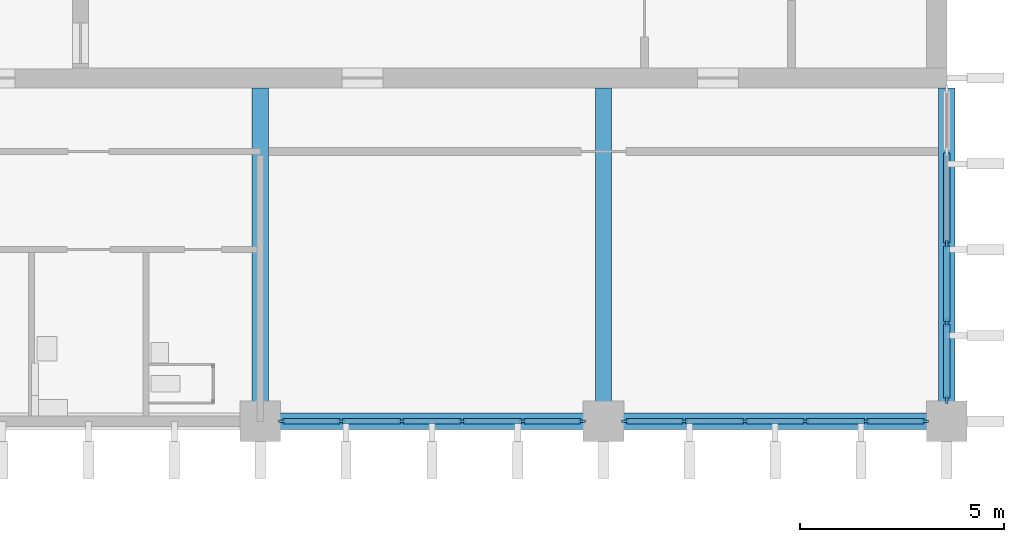
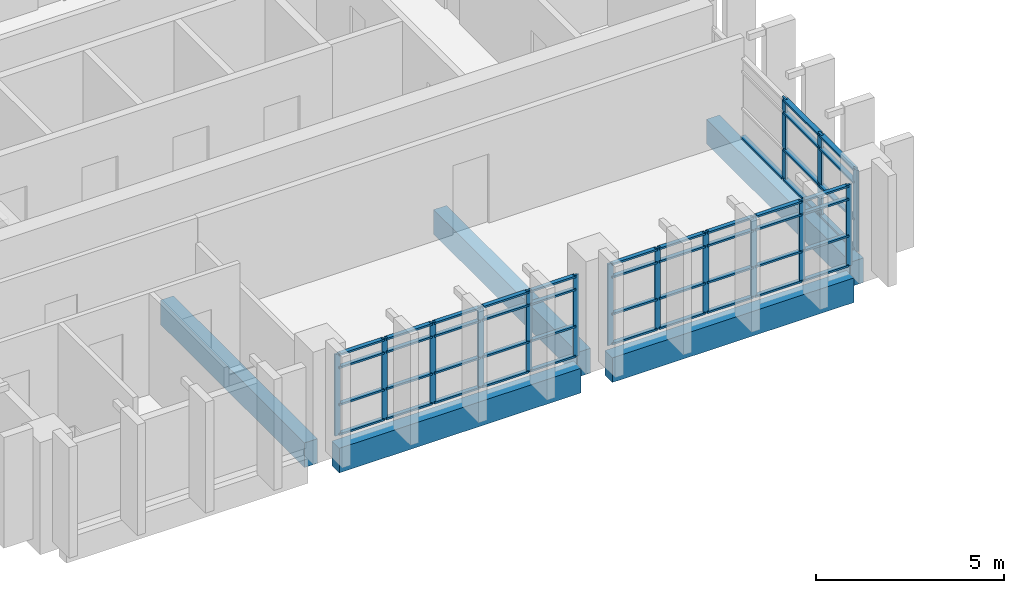
# One storey, part 4 of 24: 64 members, 5 beams, 3 elements without a shape of their own.
"""IFC4 building model written with IfcOpenShell, lengths in metres."""

import ifcopenshell
import ifcopenshell.guid

model = None  # the IFC model being written
_history = None  # IfcOwnerHistory: only IFC2X3 demands one
_inside = {}  # id of a spatial element -> (the spatial element, [elements in it])
_under = {}  # id of a project, library or spatial element -> (it, [spatial elements below it])
_declared = {}  # id of a project -> (the project, [libraries it declares])
_typed = {}  # id of a type object -> (the type object, [elements of that type])
_made_of = {}  # id of a material, layer set ... -> (it, [elements and type objects made of it])


def new_model(schema):
    """Start an empty IFC model of exactly this schema.

    Asked for "IFC4X3", IfcOpenShell would pick the latest addendum, in which some entities
    have other attributes; the version numbers below select the first issue.
    IFC2X3 requires an IfcOwnerHistory on every rooted entity: one is made here for all.
    """
    global model, _history
    if schema == "IFC4X3":
        model = ifcopenshell.file(schema_version=(4, 3, 0, 0))
    else:
        model = ifcopenshell.file(schema=schema)
    _inside.clear()
    _under.clear()
    _declared.clear()
    _typed.clear()
    _made_of.clear()
    _history = None
    if model.schema == "IFC2X3":
        org = make("IfcOrganization", Name="unknown")
        user = make(
            "IfcPersonAndOrganization",
            ThePerson=make("IfcPerson", FamilyName="unknown"),
            TheOrganization=org,
        )
        app = make(
            "IfcApplication",
            ApplicationDeveloper=org,
            Version="unknown",
            ApplicationFullName="unknown",
            ApplicationIdentifier="unknown",
        )
        _history = make(
            "IfcOwnerHistory",
            OwningUser=user,
            OwningApplication=app,
            ChangeAction="ADDED",
            CreationDate=0,
        )
    return model


def make(cls, **values):
    """One entity of the class cls with the attributes given. An attribute that is None is left unset."""
    return model.create_entity(
        cls, **{name: value for name, value in values.items() if value is not None}
    )


def rooted(cls, **values):
    """An entity with a GlobalId (a new one), such as an element, a storey or a relation."""
    return make(cls, GlobalId=ifcopenshell.guid.new(), OwnerHistory=_history, **values)


def si_unit(unit_type, name, prefix=None):
    """IfcSIUnit, for example si_unit("LENGTHUNIT", "METRE", prefix="MILLI")."""
    return make("IfcSIUnit", UnitType=unit_type, Prefix=prefix, Name=name)


def assignment(units):
    """IfcUnitAssignment: the units of a project."""
    return None if units is None else make("IfcUnitAssignment", Units=units)


def point(xyz):
    """IfcCartesianPoint."""
    return None if xyz is None else make("IfcCartesianPoint", Coordinates=xyz)


def direction(xyz):
    """IfcDirection."""
    return None if xyz is None else make("IfcDirection", DirectionRatios=xyz)


def frame(location, z_axis=None, x_axis=None):
    """IfcAxis2Placement3D, a coordinate frame: its origin and axes. An axis left out is left unset."""
    return make(
        "IfcAxis2Placement3D",
        Location=point(location),
        Axis=direction(z_axis),
        RefDirection=direction(x_axis),
    )


def frame_2d(location, x_axis=None):
    """IfcAxis2Placement2D, a coordinate frame in the plane: its origin and x axis."""
    return make(
        "IfcAxis2Placement2D", Location=point(location), RefDirection=direction(x_axis)
    )


def origin():
    """The frame at (0, 0, 0) with its axes left unset."""
    return frame((0.0, 0.0, 0.0))


def origin_2d():
    """The frame at (0, 0) in the plane with its x axis left unset."""
    return frame_2d((0.0, 0.0))


def place(relative_to, where):
    """IfcLocalPlacement: puts the frame where relative to a parent placement (None: the world)."""
    return make(
        "IfcLocalPlacement", PlacementRelTo=relative_to, RelativePlacement=where
    )


def context(
    kind, dimensions, precision=None, world=None, true_north=None, identifier=None
):
    """IfcGeometricRepresentationContext, for example the 3D "Model" context."""
    return make(
        "IfcGeometricRepresentationContext",
        ContextIdentifier=identifier,
        ContextType=kind,
        CoordinateSpaceDimension=dimensions,
        Precision=precision,
        WorldCoordinateSystem=world,
        TrueNorth=true_north,
    )


def subcontext(parent, identifier, kind, view, scale=None):
    """IfcGeometricRepresentationSubContext, for example "Body" below "Model"."""
    return make(
        "IfcGeometricRepresentationSubContext",
        ContextIdentifier=identifier,
        ContextType=kind,
        ParentContext=parent,
        TargetScale=scale,
        TargetView=view,
    )


def project(units=None, contexts=None):
    """IfcProject with its units and contexts."""
    return rooted(
        "IfcProject",
        Name="project",
        RepresentationContexts=contexts,
        UnitsInContext=assignment(units),
    )


def spatial(cls, under=None, at=None, **own):
    """A site, building, storey or space (cls), placed at a placement, below another one or the project."""
    s = rooted(cls, ObjectPlacement=at, **own)
    if under is not None:
        _under.setdefault(under.id(), (under, []))[1].append(s)
    return s


def profile(cls, at=None, kind="AREA", **sizes):
    """A parametric profile (cls). Its sizes go by their IFC names, for example OverallWidth=200.0."""
    return make(cls, ProfileType=kind, Position=at, **sizes)


def rectangle(**sizes):
    """IfcRectangleProfileDef."""
    return profile("IfcRectangleProfileDef", **sizes)


def extrude(swept, where, along, depth):
    """IfcExtrudedAreaSolid: the profile swept, set in the frame where, extruded along a direction by depth."""
    return make(
        "IfcExtrudedAreaSolid",
        SweptArea=swept,
        Position=where,
        ExtrudedDirection=direction(along),
        Depth=depth,
    )


def shape(context_of_items, identifier, shape_type, items):
    """IfcShapeRepresentation: the items that make up one representation, for example the "Body"."""
    return make(
        "IfcShapeRepresentation",
        ContextOfItems=context_of_items,
        RepresentationIdentifier=identifier,
        RepresentationType=shape_type,
        Items=items,
    )


def material(Name=None, Category=None):
    """IfcMaterial."""
    return make("IfcMaterial", Name=Name, Category=Category)


def layer(
    of_material, thickness, ventilated=None, Name=None, Category=None, Priority=None
):
    """IfcMaterialLayer: one layer of a wall or slab, of a material (None: an air gap)."""
    return make(
        "IfcMaterialLayer",
        Material=of_material,
        LayerThickness=thickness,
        IsVentilated=ventilated,
        Name=Name,
        Category=Category,
        Priority=Priority,
    )


def layer_set(layers, Name=None):
    """IfcMaterialLayerSet."""
    return make("IfcMaterialLayerSet", MaterialLayers=layers, LayerSetName=Name)


def material_profile(
    of_material, cross_section, Name=None, Category=None, Priority=None
):
    """IfcMaterialProfile: a cross section and its material."""
    return make(
        "IfcMaterialProfile",
        Name=Name,
        Material=of_material,
        Profile=cross_section,
        Priority=Priority,
        Category=Category,
    )


def profile_set(profiles, Name=None, composite=None):
    """IfcMaterialProfileSet."""
    return make(
        "IfcMaterialProfileSet",
        Name=Name,
        MaterialProfiles=profiles,
        CompositeProfile=composite,
    )


def made_of(thing, what):
    """Note that an element or type object is made of a material, layer set ...; save() writes the relation."""
    if what is not None:
        _made_of.setdefault(what.id(), (what, []))[1].append(thing)
    return thing


def type_object(cls, material=None, **own):
    """A type object (cls), such as IfcWallType, which elements share."""
    return made_of(rooted(cls, **own), material)


def element(
    cls,
    number,
    at=None,
    inside=None,
    cuts=None,
    type_object=None,
    material=None,
    context=None,
    identifier="Body",
    shape_type=None,
    held_by="IfcProductDefinitionShape",
    body=None,
    shapes=None,
    **own,
):
    """One element of the class cls, such as IfcWall. Its Tag is "e" and its number.

    at: its placement. inside: the storey or other place that contains it. cuts: it is an
    opening in that element (IfcRelVoidsElement). A single representation is given by context,
    identifier, shape_type and body (its items); several are given by shapes. held_by: the class
    of the entity that holds the representations. save() writes the other relations.
    """
    e = rooted(cls, Tag="e%d" % number, ObjectPlacement=at, **own)
    if body is not None:
        shapes = [shape(context, identifier, shape_type, body)]
    if shapes is not None:
        e.Representation = make(held_by, Representations=shapes)
    if inside is not None:
        _inside.setdefault(inside.id(), (inside, []))[1].append(e)
    if cuts is not None:
        rooted(
            "IfcRelVoidsElement", RelatingBuildingElement=cuts, RelatedOpeningElement=e
        )
    if type_object is not None:
        _typed.setdefault(type_object.id(), (type_object, []))[1].append(e)
    return made_of(e, material)


def aggregate(whole, parts):
    """IfcRelAggregates: a whole, such as a stair, and the parts it consists of."""
    return rooted("IfcRelAggregates", RelatingObject=whole, RelatedObjects=parts)


def save(model, path):
    """Write the relations noted so far, then the file.

    IfcRelAggregates (storeys below a building ...), IfcRelContainedInSpatialStructure (elements
    in a storey), IfcRelDefinesByType, IfcRelAssociatesMaterial and IfcRelDeclares: one each for
    every whole, place, type object, material and project.
    """
    for whole, parts in _under.values():
        aggregate(whole, parts)
    for where, things in _inside.values():
        rooted(
            "IfcRelContainedInSpatialStructure",
            RelatedElements=things,
            RelatingStructure=where,
        )
    for kind, things in _typed.values():
        rooted("IfcRelDefinesByType", RelatedObjects=things, RelatingType=kind)
    for what, things in _made_of.values():
        rooted("IfcRelAssociatesMaterial", RelatedObjects=things, RelatingMaterial=what)
    for by, libraries in _declared.values():
        rooted("IfcRelDeclares", RelatingContext=by, RelatedDefinitions=libraries)
    model.write(path)


model = new_model("IFC4")

# Units and contexts
model_context = context("Model", 3, precision=1e-05, world=origin(), true_north=direction((0.0, 1.0)))
body_context = subcontext(model_context, "Body", "Model", "MODEL_VIEW")
ifc_project = project(units=[si_unit("LENGTHUNIT", "METRE"), si_unit("AREAUNIT", "SQUARE_METRE"), si_unit("VOLUMEUNIT", "CUBIC_METRE"), si_unit("PLANEANGLEUNIT", "RADIAN"), si_unit("MASSUNIT", "GRAM", prefix="KILO")], contexts=[model_context])

# Site, building, storey
site_placement = place(None, origin())
site = spatial("IfcSite", under=ifc_project, at=site_placement, CompositionType="ELEMENT")
building_placement = place(site_placement, origin())
building = spatial("IfcBuilding", under=site, at=building_placement, Name="Rulbaag Community and Learning Centre", CompositionType="ELEMENT")
storey_placement = place(building_placement, frame((0.0, 0.0, 14.39990234375)))
storey = spatial("IfcBuildingStorey", under=building, at=storey_placement, Name="L03", CompositionType="ELEMENT", Elevation=14.39990234375)

# Beams
ifc_material_1 = material(Name="Concrete M40", Category="concrete")
ifc_material_profile_1 = material_profile(ifc_material_1, rectangle(XDim=0.39990234375, YDim=0.800048828125, at=origin_2d()), Name="RB400x800")
ifc_profile_set_1 = profile_set([ifc_material_profile_1], Name="Concrete M40")
beam_type = type_object("IfcBeamType", Name="B9 Terrace beam 400x800 Concrete M40", PredefinedType="BEAM", material=ifc_profile_set_1)
beam_1_placement = place(storey_placement, frame((151.679931640625, 84.0, -0.699951171875), z_axis=(1.0, 0.0, 0.0), x_axis=(0.0, 1.0, 0.0)))
element("IfcBeam", 1, at=beam_1_placement, inside=storey, type_object=beam_type, Name="BM-L03-19K-20K", PredefinedType="BEAM", context=body_context, shape_type="SweptSolid", body=[
    extrude(rectangle(XDim=0.39990234375, YDim=0.800048828125, at=origin_2d()), origin(), (0.0, 0.0, 1.0), 7.440185546875),
])
beam_2_placement = place(storey_placement, frame((151.199951171875, 84.47998046875, -0.699951171875), z_axis=(0.0, 1.0, 0.0), x_axis=(-1.0, 0.0, 0.0)))
element("IfcBeam", 2, at=beam_2_placement, inside=storey, type_object=beam_type, Name="BM-L03-19K-19L", PredefinedType="BEAM", context=body_context, shape_type="SweptSolid", body=[
    extrude(rectangle(XDim=0.39990234375, YDim=0.800048828125, at=origin_2d()), origin(), (0.0, 0.0, 1.0), 7.669921875),
])
beam_3_placement = place(storey_placement, frame((160.080078125, 84.0, -0.699951171875), z_axis=(1.0, 0.0, 0.0), x_axis=(0.0, 1.0, 0.0)))
element("IfcBeam", 3, at=beam_3_placement, inside=storey, type_object=beam_type, Name="BM-L03-20K-21K", PredefinedType="BEAM", context=body_context, shape_type="SweptSolid", body=[
    extrude(rectangle(XDim=0.39990234375, YDim=0.800048828125, at=origin_2d()), origin(), (0.0, 0.0, 1.0), 7.43994140625),
])
for number, where, z_axis, x_axis, name in (
    (4, (159.60009765625, 84.47998046875, -0.699951171875), (0.0, 1.0, 0.0), (-1.0, 0.0, 0.0), "BM-L03-20K-20L"),
    (5, (168.0, 84.47998046875, -0.699951171875), (0.0, 1.0, 0.0), (-1.0, 0.0, 0.0), "BM-L03-21K-21L"),
):
    element("IfcBeam", number, at=place(storey_placement, frame(where, z_axis=z_axis, x_axis=x_axis)), inside=storey, type_object=beam_type, Name=name, PredefinedType="BEAM", context=body_context, shape_type="SweptSolid", body=[
        extrude(rectangle(XDim=0.39990234375, YDim=0.800048828125, at=origin_2d()), origin(), (0.0, 0.0, 1.0), 7.669921875),
    ])

# Curtain wall, members
ifc_material_2 = material(Name="Aluminium", Category="aluminium")
ifc_layer_1 = layer(ifc_material_2, 0.14990234375)
ifc_layer_set_1 = layer_set([ifc_layer_1], Name="CW-S")
curtain_wall_type_1 = type_object("IfcCurtainWallType", Name="CW-S", PredefinedType="USERDEFINED", material=ifc_layer_set_1)
curtain_wall_1_placement = place(storey_placement, origin())
curtain_wall_1 = element("IfcCurtainWall", 6, at=curtain_wall_1_placement, inside=storey, type_object=curtain_wall_type_1, Name="GS-L03-01", ObjectType="UNITISED CURTAIN WALL", PredefinedType="USERDEFINED")
ifc_material_3 = material(Name="Aluminium mullion", Category="aluminium")
ifc_material_profile_2 = material_profile(ifc_material_3, rectangle(XDim=0.06005859375, YDim=0.175048828125, at=origin_2d()), Name="AL 60x175")
ifc_profile_set_2 = profile_set([ifc_material_profile_2], Name="Aluminium mullion")
member_type_1 = type_object("IfcMemberType", Name="CW-S-MUL", PredefinedType="MULLION", material=ifc_profile_set_2)
member_1_placement = place(storey_placement, frame((151.72998046875, 84.0, 0.0), z_axis=(0.0, 0.0, 1.0), x_axis=(0.0, 1.0, 0.0)))
member_1 = element("IfcMember", 7, at=member_1_placement, type_object=member_type_1, Name="GS mullion 1", PredefinedType="MULLION", context=body_context, shape_type="SweptSolid", body=[
    extrude(rectangle(XDim=0.06005859375, YDim=0.175048828125, at=origin_2d()), origin(), (0.0, 0.0, 1.0), 2.650146484375),
])
member_2_placement = place(storey_placement, frame((153.179931640625, 84.0, 0.0), z_axis=(0.0, 0.0, 1.0), x_axis=(0.0, 1.0, 0.0)))
member_2 = element("IfcMember", 8, at=member_2_placement, type_object=member_type_1, Name="GS mullion 2", PredefinedType="MULLION", context=body_context, shape_type="SweptSolid", body=[
    extrude(rectangle(XDim=0.06005859375, YDim=0.175048828125, at=origin_2d()), origin(), (0.0, 0.0, 1.0), 2.650146484375),
])
member_3_placement = place(storey_placement, frame((154.659912109375, 84.0, 0.0), z_axis=(0.0, 0.0, 1.0), x_axis=(0.0, 1.0, 0.0)))
member_3 = element("IfcMember", 9, at=member_3_placement, type_object=member_type_1, Name="GS mullion 3", PredefinedType="MULLION", context=body_context, shape_type="SweptSolid", body=[
    extrude(rectangle(XDim=0.06005859375, YDim=0.175048828125, at=origin_2d()), origin(), (0.0, 0.0, 1.0), 2.650146484375),
])
member_4_placement = place(storey_placement, frame((156.139892578125, 84.0, 0.0), z_axis=(0.0, 0.0, 1.0), x_axis=(0.0, 1.0, 0.0)))
member_4 = element("IfcMember", 10, at=member_4_placement, type_object=member_type_1, Name="GS mullion 4", PredefinedType="MULLION", context=body_context, shape_type="SweptSolid", body=[
    extrude(rectangle(XDim=0.06005859375, YDim=0.175048828125, at=origin_2d()), origin(), (0.0, 0.0, 1.0), 2.650146484375),
])
member_5_placement = place(storey_placement, frame((157.6201171875, 84.0, 0.0), z_axis=(0.0, 0.0, 1.0), x_axis=(0.0, 1.0, 0.0)))
member_5 = element("IfcMember", 11, at=member_5_placement, type_object=member_type_1, Name="GS mullion 5", PredefinedType="MULLION", context=body_context, shape_type="SweptSolid", body=[
    extrude(rectangle(XDim=0.06005859375, YDim=0.175048828125, at=origin_2d()), origin(), (0.0, 0.0, 1.0), 2.650146484375),
])
member_6_placement = place(storey_placement, frame((159.070068359375, 84.0, 0.0), z_axis=(0.0, 0.0, 1.0), x_axis=(0.0, 1.0, 0.0)))
member_6 = element("IfcMember", 12, at=member_6_placement, type_object=member_type_1, Name="GS mullion 6", PredefinedType="MULLION", context=body_context, shape_type="SweptSolid", body=[
    extrude(rectangle(XDim=0.06005859375, YDim=0.175048828125, at=origin_2d()), origin(), (0.0, 0.0, 1.0), 2.650146484375),
])

curtain_wall_2_placement = place(storey_placement, origin())
curtain_wall_2 = element("IfcCurtainWall", 13, at=curtain_wall_2_placement, inside=storey, type_object=curtain_wall_type_1, Name="GS-L03-02", ObjectType="UNITISED CURTAIN WALL", PredefinedType="USERDEFINED")
member_7_placement = place(storey_placement, frame((160.1298828125, 84.0, 0.0), z_axis=(0.0, 0.0, 1.0), x_axis=(0.0, 1.0, 0.0)))
member_7 = element("IfcMember", 14, at=member_7_placement, type_object=member_type_1, Name="GS mullion 1", PredefinedType="MULLION", context=body_context, shape_type="SweptSolid", body=[
    extrude(rectangle(XDim=0.06005859375, YDim=0.175048828125, at=origin_2d()), origin(), (0.0, 0.0, 1.0), 2.650146484375),
])
member_8_placement = place(storey_placement, frame((161.580078125, 84.0, 0.0), z_axis=(0.0, 0.0, 1.0), x_axis=(0.0, 1.0, 0.0)))
member_8 = element("IfcMember", 15, at=member_8_placement, type_object=member_type_1, Name="GS mullion 2", PredefinedType="MULLION", context=body_context, shape_type="SweptSolid", body=[
    extrude(rectangle(XDim=0.06005859375, YDim=0.175048828125, at=origin_2d()), origin(), (0.0, 0.0, 1.0), 2.650146484375),
])
member_9_placement = place(storey_placement, frame((163.06005859375, 84.0, 0.0), z_axis=(0.0, 0.0, 1.0), x_axis=(0.0, 1.0, 0.0)))
member_9 = element("IfcMember", 16, at=member_9_placement, type_object=member_type_1, Name="GS mullion 3", PredefinedType="MULLION", context=body_context, shape_type="SweptSolid", body=[
    extrude(rectangle(XDim=0.06005859375, YDim=0.175048828125, at=origin_2d()), origin(), (0.0, 0.0, 1.0), 2.650146484375),
])
member_10_placement = place(storey_placement, frame((164.5400390625, 84.0, 0.0), z_axis=(0.0, 0.0, 1.0), x_axis=(0.0, 1.0, 0.0)))
member_10 = element("IfcMember", 17, at=member_10_placement, type_object=member_type_1, Name="GS mullion 4", PredefinedType="MULLION", context=body_context, shape_type="SweptSolid", body=[
    extrude(rectangle(XDim=0.06005859375, YDim=0.175048828125, at=origin_2d()), origin(), (0.0, 0.0, 1.0), 2.650146484375),
])
member_11_placement = place(storey_placement, frame((166.02001953125, 84.0, 0.0), z_axis=(0.0, 0.0, 1.0), x_axis=(0.0, 1.0, 0.0)))
member_11 = element("IfcMember", 18, at=member_11_placement, type_object=member_type_1, Name="GS mullion 5", PredefinedType="MULLION", context=body_context, shape_type="SweptSolid", body=[
    extrude(rectangle(XDim=0.06005859375, YDim=0.175048828125, at=origin_2d()), origin(), (0.0, 0.0, 1.0), 2.650146484375),
])
member_12_placement = place(storey_placement, frame((167.469970703125, 84.0, 0.0), z_axis=(0.0, 0.0, 1.0), x_axis=(0.0, 1.0, 0.0)))
member_12 = element("IfcMember", 19, at=member_12_placement, type_object=member_type_1, Name="GS mullion 6", PredefinedType="MULLION", context=body_context, shape_type="SweptSolid", body=[
    extrude(rectangle(XDim=0.06005859375, YDim=0.175048828125, at=origin_2d()), origin(), (0.0, 0.0, 1.0), 2.650146484375),
])

# Member
ifc_material_4 = material(Name="Aluminium transom", Category="aluminium")
ifc_material_profile_3 = material_profile(ifc_material_4, rectangle(XDim=0.125, YDim=0.06005859375, at=origin_2d()), Name="AL 60x125 T")
ifc_profile_set_3 = profile_set([ifc_material_profile_3], Name="Aluminium transom")
member_type_2 = type_object("IfcMemberType", Name="CW-S-TRN", PredefinedType="USERDEFINED", material=ifc_profile_set_3)
member_13_placement = place(storey_placement, frame((151.760009765625, 84.0, 0.030029296875), z_axis=(1.0, 0.0, 0.0), x_axis=(0.0, 1.0, 0.0)))
member_13 = element("IfcMember", 20, at=member_13_placement, type_object=member_type_2, Name="GS transom 1.1", ObjectType="TRANSOM", PredefinedType="USERDEFINED", context=body_context, shape_type="SweptSolid", body=[
    extrude(rectangle(XDim=0.125, YDim=0.06005859375, at=origin_2d()), origin(), (0.0, 0.0, 1.0), 1.389892578125),
])

member_14_placement = place(storey_placement, frame((151.760009765625, 84.0, 1.0), z_axis=(1.0, 0.0, 0.0), x_axis=(0.0, 1.0, 0.0)))
member_14 = element("IfcMember", 21, at=member_14_placement, type_object=member_type_2, Name="GS transom 1.2", ObjectType="TRANSOM", PredefinedType="USERDEFINED", context=body_context, shape_type="SweptSolid", body=[
    extrude(rectangle(XDim=0.125, YDim=0.06005859375, at=origin_2d()), origin(), (0.0, 0.0, 1.0), 1.389892578125),
])

member_15_placement = place(storey_placement, frame((151.760009765625, 84.0, 2.2001953125), z_axis=(1.0, 0.0, 0.0), x_axis=(0.0, 1.0, 0.0)))
member_15 = element("IfcMember", 22, at=member_15_placement, type_object=member_type_2, Name="GS transom 1.3", ObjectType="TRANSOM", PredefinedType="USERDEFINED", context=body_context, shape_type="SweptSolid", body=[
    extrude(rectangle(XDim=0.125, YDim=0.06005859375, at=origin_2d()), origin(), (0.0, 0.0, 1.0), 1.389892578125),
])

member_16_placement = place(storey_placement, frame((151.760009765625, 84.0, 2.6201171875), z_axis=(1.0, 0.0, 0.0), x_axis=(0.0, 1.0, 0.0)))
member_16 = element("IfcMember", 23, at=member_16_placement, type_object=member_type_2, Name="GS transom 1.4", ObjectType="TRANSOM", PredefinedType="USERDEFINED", context=body_context, shape_type="SweptSolid", body=[
    extrude(rectangle(XDim=0.125, YDim=0.06005859375, at=origin_2d()), origin(), (0.0, 0.0, 1.0), 1.389892578125),
])

member_17_placement = place(storey_placement, frame((153.2099609375, 84.0, 0.030029296875), z_axis=(1.0, 0.0, 0.0), x_axis=(0.0, 1.0, 0.0)))
member_17 = element("IfcMember", 24, at=member_17_placement, type_object=member_type_2, Name="GS transom 2.1", ObjectType="TRANSOM", PredefinedType="USERDEFINED", context=body_context, shape_type="SweptSolid", body=[
    extrude(rectangle(XDim=0.125, YDim=0.06005859375, at=origin_2d()), origin(), (0.0, 0.0, 1.0), 1.419921875),
])

member_18_placement = place(storey_placement, frame((153.2099609375, 84.0, 1.0), z_axis=(1.0, 0.0, 0.0), x_axis=(0.0, 1.0, 0.0)))
member_18 = element("IfcMember", 25, at=member_18_placement, type_object=member_type_2, Name="GS transom 2.2", ObjectType="TRANSOM", PredefinedType="USERDEFINED", context=body_context, shape_type="SweptSolid", body=[
    extrude(rectangle(XDim=0.125, YDim=0.06005859375, at=origin_2d()), origin(), (0.0, 0.0, 1.0), 1.419921875),
])

member_19_placement = place(storey_placement, frame((153.2099609375, 84.0, 2.2001953125), z_axis=(1.0, 0.0, 0.0), x_axis=(0.0, 1.0, 0.0)))
member_19 = element("IfcMember", 26, at=member_19_placement, type_object=member_type_2, Name="GS transom 2.3", ObjectType="TRANSOM", PredefinedType="USERDEFINED", context=body_context, shape_type="SweptSolid", body=[
    extrude(rectangle(XDim=0.125, YDim=0.06005859375, at=origin_2d()), origin(), (0.0, 0.0, 1.0), 1.419921875),
])

member_20_placement = place(storey_placement, frame((153.2099609375, 84.0, 2.6201171875), z_axis=(1.0, 0.0, 0.0), x_axis=(0.0, 1.0, 0.0)))
member_20 = element("IfcMember", 27, at=member_20_placement, type_object=member_type_2, Name="GS transom 2.4", ObjectType="TRANSOM", PredefinedType="USERDEFINED", context=body_context, shape_type="SweptSolid", body=[
    extrude(rectangle(XDim=0.125, YDim=0.06005859375, at=origin_2d()), origin(), (0.0, 0.0, 1.0), 1.419921875),
])

member_21_placement = place(storey_placement, frame((154.68994140625, 84.0, 0.030029296875), z_axis=(1.0, 0.0, 0.0), x_axis=(0.0, 1.0, 0.0)))
member_21 = element("IfcMember", 28, at=member_21_placement, type_object=member_type_2, Name="GS transom 3.1", ObjectType="TRANSOM", PredefinedType="USERDEFINED", context=body_context, shape_type="SweptSolid", body=[
    extrude(rectangle(XDim=0.125, YDim=0.06005859375, at=origin_2d()), origin(), (0.0, 0.0, 1.0), 1.420166015625),
])

member_22_placement = place(storey_placement, frame((154.68994140625, 84.0, 1.0), z_axis=(1.0, 0.0, 0.0), x_axis=(0.0, 1.0, 0.0)))
member_22 = element("IfcMember", 29, at=member_22_placement, type_object=member_type_2, Name="GS transom 3.2", ObjectType="TRANSOM", PredefinedType="USERDEFINED", context=body_context, shape_type="SweptSolid", body=[
    extrude(rectangle(XDim=0.125, YDim=0.06005859375, at=origin_2d()), origin(), (0.0, 0.0, 1.0), 1.420166015625),
])

member_23_placement = place(storey_placement, frame((154.68994140625, 84.0, 2.2001953125), z_axis=(1.0, 0.0, 0.0), x_axis=(0.0, 1.0, 0.0)))
member_23 = element("IfcMember", 30, at=member_23_placement, type_object=member_type_2, Name="GS transom 3.3", ObjectType="TRANSOM", PredefinedType="USERDEFINED", context=body_context, shape_type="SweptSolid", body=[
    extrude(rectangle(XDim=0.125, YDim=0.06005859375, at=origin_2d()), origin(), (0.0, 0.0, 1.0), 1.420166015625),
])

member_24_placement = place(storey_placement, frame((154.68994140625, 84.0, 2.6201171875), z_axis=(1.0, 0.0, 0.0), x_axis=(0.0, 1.0, 0.0)))
member_24 = element("IfcMember", 31, at=member_24_placement, type_object=member_type_2, Name="GS transom 3.4", ObjectType="TRANSOM", PredefinedType="USERDEFINED", context=body_context, shape_type="SweptSolid", body=[
    extrude(rectangle(XDim=0.125, YDim=0.06005859375, at=origin_2d()), origin(), (0.0, 0.0, 1.0), 1.420166015625),
])

member_25_placement = place(storey_placement, frame((156.169921875, 84.0, 0.030029296875), z_axis=(1.0, 0.0, 0.0), x_axis=(0.0, 1.0, 0.0)))
member_25 = element("IfcMember", 32, at=member_25_placement, type_object=member_type_2, Name="GS transom 4.1", ObjectType="TRANSOM", PredefinedType="USERDEFINED", context=body_context, shape_type="SweptSolid", body=[
    extrude(rectangle(XDim=0.125, YDim=0.06005859375, at=origin_2d()), origin(), (0.0, 0.0, 1.0), 1.420166015625),
])

member_26_placement = place(storey_placement, frame((156.169921875, 84.0, 1.0), z_axis=(1.0, 0.0, 0.0), x_axis=(0.0, 1.0, 0.0)))
member_26 = element("IfcMember", 33, at=member_26_placement, type_object=member_type_2, Name="GS transom 4.2", ObjectType="TRANSOM", PredefinedType="USERDEFINED", context=body_context, shape_type="SweptSolid", body=[
    extrude(rectangle(XDim=0.125, YDim=0.06005859375, at=origin_2d()), origin(), (0.0, 0.0, 1.0), 1.420166015625),
])

member_27_placement = place(storey_placement, frame((156.169921875, 84.0, 2.2001953125), z_axis=(1.0, 0.0, 0.0), x_axis=(0.0, 1.0, 0.0)))
member_27 = element("IfcMember", 34, at=member_27_placement, type_object=member_type_2, Name="GS transom 4.3", ObjectType="TRANSOM", PredefinedType="USERDEFINED", context=body_context, shape_type="SweptSolid", body=[
    extrude(rectangle(XDim=0.125, YDim=0.06005859375, at=origin_2d()), origin(), (0.0, 0.0, 1.0), 1.420166015625),
])

member_28_placement = place(storey_placement, frame((156.169921875, 84.0, 2.6201171875), z_axis=(1.0, 0.0, 0.0), x_axis=(0.0, 1.0, 0.0)))
member_28 = element("IfcMember", 35, at=member_28_placement, type_object=member_type_2, Name="GS transom 4.4", ObjectType="TRANSOM", PredefinedType="USERDEFINED", context=body_context, shape_type="SweptSolid", body=[
    extrude(rectangle(XDim=0.125, YDim=0.06005859375, at=origin_2d()), origin(), (0.0, 0.0, 1.0), 1.420166015625),
])

member_29_placement = place(storey_placement, frame((157.64990234375, 84.0, 0.030029296875), z_axis=(1.0, 0.0, 0.0), x_axis=(0.0, 1.0, 0.0)))
member_29 = element("IfcMember", 36, at=member_29_placement, type_object=member_type_2, Name="GS transom 5.1", ObjectType="TRANSOM", PredefinedType="USERDEFINED", context=body_context, shape_type="SweptSolid", body=[
    extrude(rectangle(XDim=0.125, YDim=0.06005859375, at=origin_2d()), origin(), (0.0, 0.0, 1.0), 1.39013671875),
])

member_30_placement = place(storey_placement, frame((157.64990234375, 84.0, 1.0), z_axis=(1.0, 0.0, 0.0), x_axis=(0.0, 1.0, 0.0)))
member_30 = element("IfcMember", 37, at=member_30_placement, type_object=member_type_2, Name="GS transom 5.2", ObjectType="TRANSOM", PredefinedType="USERDEFINED", context=body_context, shape_type="SweptSolid", body=[
    extrude(rectangle(XDim=0.125, YDim=0.06005859375, at=origin_2d()), origin(), (0.0, 0.0, 1.0), 1.39013671875),
])

member_31_placement = place(storey_placement, frame((157.64990234375, 84.0, 2.2001953125), z_axis=(1.0, 0.0, 0.0), x_axis=(0.0, 1.0, 0.0)))
member_31 = element("IfcMember", 38, at=member_31_placement, type_object=member_type_2, Name="GS transom 5.3", ObjectType="TRANSOM", PredefinedType="USERDEFINED", context=body_context, shape_type="SweptSolid", body=[
    extrude(rectangle(XDim=0.125, YDim=0.06005859375, at=origin_2d()), origin(), (0.0, 0.0, 1.0), 1.39013671875),
])

member_32_placement = place(storey_placement, frame((157.64990234375, 84.0, 2.6201171875), z_axis=(1.0, 0.0, 0.0), x_axis=(0.0, 1.0, 0.0)))
member_32 = element("IfcMember", 39, at=member_32_placement, type_object=member_type_2, Name="GS transom 5.4", ObjectType="TRANSOM", PredefinedType="USERDEFINED", context=body_context, shape_type="SweptSolid", body=[
    extrude(rectangle(XDim=0.125, YDim=0.06005859375, at=origin_2d()), origin(), (0.0, 0.0, 1.0), 1.39013671875),
])

aggregate(curtain_wall_1, [member_1, member_2, member_3, member_4, member_5, member_6, member_13, member_14, member_15, member_16, member_17, member_18, member_19, member_20, member_21, member_22, member_23, member_24, member_25, member_26, member_27, member_28, member_29, member_30, member_31, member_32])

member_33_placement = place(storey_placement, frame((160.159912109375, 84.0, 0.030029296875), z_axis=(1.0, 0.0, 0.0), x_axis=(0.0, 1.0, 0.0)))
member_33 = element("IfcMember", 40, at=member_33_placement, type_object=member_type_2, Name="GS transom 1.1", ObjectType="TRANSOM", PredefinedType="USERDEFINED", context=body_context, shape_type="SweptSolid", body=[
    extrude(rectangle(XDim=0.125, YDim=0.06005859375, at=origin_2d()), origin(), (0.0, 0.0, 1.0), 1.39013671875),
])

member_34_placement = place(storey_placement, frame((160.159912109375, 84.0, 1.0), z_axis=(1.0, 0.0, 0.0), x_axis=(0.0, 1.0, 0.0)))
member_34 = element("IfcMember", 41, at=member_34_placement, type_object=member_type_2, Name="GS transom 1.2", ObjectType="TRANSOM", PredefinedType="USERDEFINED", context=body_context, shape_type="SweptSolid", body=[
    extrude(rectangle(XDim=0.125, YDim=0.06005859375, at=origin_2d()), origin(), (0.0, 0.0, 1.0), 1.39013671875),
])

member_35_placement = place(storey_placement, frame((160.159912109375, 84.0, 2.2001953125), z_axis=(1.0, 0.0, 0.0), x_axis=(0.0, 1.0, 0.0)))
member_35 = element("IfcMember", 42, at=member_35_placement, type_object=member_type_2, Name="GS transom 1.3", ObjectType="TRANSOM", PredefinedType="USERDEFINED", context=body_context, shape_type="SweptSolid", body=[
    extrude(rectangle(XDim=0.125, YDim=0.06005859375, at=origin_2d()), origin(), (0.0, 0.0, 1.0), 1.39013671875),
])

member_36_placement = place(storey_placement, frame((160.159912109375, 84.0, 2.6201171875), z_axis=(1.0, 0.0, 0.0), x_axis=(0.0, 1.0, 0.0)))
member_36 = element("IfcMember", 43, at=member_36_placement, type_object=member_type_2, Name="GS transom 1.4", ObjectType="TRANSOM", PredefinedType="USERDEFINED", context=body_context, shape_type="SweptSolid", body=[
    extrude(rectangle(XDim=0.125, YDim=0.06005859375, at=origin_2d()), origin(), (0.0, 0.0, 1.0), 1.39013671875),
])

member_37_placement = place(storey_placement, frame((161.610107421875, 84.0, 0.030029296875), z_axis=(1.0, 0.0, 0.0), x_axis=(0.0, 1.0, 0.0)))
member_37 = element("IfcMember", 44, at=member_37_placement, type_object=member_type_2, Name="GS transom 2.1", ObjectType="TRANSOM", PredefinedType="USERDEFINED", context=body_context, shape_type="SweptSolid", body=[
    extrude(rectangle(XDim=0.125, YDim=0.06005859375, at=origin_2d()), origin(), (0.0, 0.0, 1.0), 1.419921875),
])

member_38_placement = place(storey_placement, frame((161.610107421875, 84.0, 1.0), z_axis=(1.0, 0.0, 0.0), x_axis=(0.0, 1.0, 0.0)))
member_38 = element("IfcMember", 45, at=member_38_placement, type_object=member_type_2, Name="GS transom 2.2", ObjectType="TRANSOM", PredefinedType="USERDEFINED", context=body_context, shape_type="SweptSolid", body=[
    extrude(rectangle(XDim=0.125, YDim=0.06005859375, at=origin_2d()), origin(), (0.0, 0.0, 1.0), 1.419921875),
])

member_39_placement = place(storey_placement, frame((161.610107421875, 84.0, 2.2001953125), z_axis=(1.0, 0.0, 0.0), x_axis=(0.0, 1.0, 0.0)))
member_39 = element("IfcMember", 46, at=member_39_placement, type_object=member_type_2, Name="GS transom 2.3", ObjectType="TRANSOM", PredefinedType="USERDEFINED", context=body_context, shape_type="SweptSolid", body=[
    extrude(rectangle(XDim=0.125, YDim=0.06005859375, at=origin_2d()), origin(), (0.0, 0.0, 1.0), 1.419921875),
])

member_40_placement = place(storey_placement, frame((161.610107421875, 84.0, 2.6201171875), z_axis=(1.0, 0.0, 0.0), x_axis=(0.0, 1.0, 0.0)))
member_40 = element("IfcMember", 47, at=member_40_placement, type_object=member_type_2, Name="GS transom 2.4", ObjectType="TRANSOM", PredefinedType="USERDEFINED", context=body_context, shape_type="SweptSolid", body=[
    extrude(rectangle(XDim=0.125, YDim=0.06005859375, at=origin_2d()), origin(), (0.0, 0.0, 1.0), 1.419921875),
])

member_41_placement = place(storey_placement, frame((163.090087890625, 84.0, 0.030029296875), z_axis=(1.0, 0.0, 0.0), x_axis=(0.0, 1.0, 0.0)))
member_41 = element("IfcMember", 48, at=member_41_placement, type_object=member_type_2, Name="GS transom 3.1", ObjectType="TRANSOM", PredefinedType="USERDEFINED", context=body_context, shape_type="SweptSolid", body=[
    extrude(rectangle(XDim=0.125, YDim=0.06005859375, at=origin_2d()), origin(), (0.0, 0.0, 1.0), 1.419921875),
])

member_42_placement = place(storey_placement, frame((163.090087890625, 84.0, 1.0), z_axis=(1.0, 0.0, 0.0), x_axis=(0.0, 1.0, 0.0)))
member_42 = element("IfcMember", 49, at=member_42_placement, type_object=member_type_2, Name="GS transom 3.2", ObjectType="TRANSOM", PredefinedType="USERDEFINED", context=body_context, shape_type="SweptSolid", body=[
    extrude(rectangle(XDim=0.125, YDim=0.06005859375, at=origin_2d()), origin(), (0.0, 0.0, 1.0), 1.419921875),
])

member_43_placement = place(storey_placement, frame((163.090087890625, 84.0, 2.2001953125), z_axis=(1.0, 0.0, 0.0), x_axis=(0.0, 1.0, 0.0)))
member_43 = element("IfcMember", 50, at=member_43_placement, type_object=member_type_2, Name="GS transom 3.3", ObjectType="TRANSOM", PredefinedType="USERDEFINED", context=body_context, shape_type="SweptSolid", body=[
    extrude(rectangle(XDim=0.125, YDim=0.06005859375, at=origin_2d()), origin(), (0.0, 0.0, 1.0), 1.419921875),
])

member_44_placement = place(storey_placement, frame((163.090087890625, 84.0, 2.6201171875), z_axis=(1.0, 0.0, 0.0), x_axis=(0.0, 1.0, 0.0)))
member_44 = element("IfcMember", 51, at=member_44_placement, type_object=member_type_2, Name="GS transom 3.4", ObjectType="TRANSOM", PredefinedType="USERDEFINED", context=body_context, shape_type="SweptSolid", body=[
    extrude(rectangle(XDim=0.125, YDim=0.06005859375, at=origin_2d()), origin(), (0.0, 0.0, 1.0), 1.419921875),
])

member_45_placement = place(storey_placement, frame((164.570068359375, 84.0, 0.030029296875), z_axis=(1.0, 0.0, 0.0), x_axis=(0.0, 1.0, 0.0)))
member_45 = element("IfcMember", 52, at=member_45_placement, type_object=member_type_2, Name="GS transom 4.1", ObjectType="TRANSOM", PredefinedType="USERDEFINED", context=body_context, shape_type="SweptSolid", body=[
    extrude(rectangle(XDim=0.125, YDim=0.06005859375, at=origin_2d()), origin(), (0.0, 0.0, 1.0), 1.419921875),
])

member_46_placement = place(storey_placement, frame((164.570068359375, 84.0, 1.0), z_axis=(1.0, 0.0, 0.0), x_axis=(0.0, 1.0, 0.0)))
member_46 = element("IfcMember", 53, at=member_46_placement, type_object=member_type_2, Name="GS transom 4.2", ObjectType="TRANSOM", PredefinedType="USERDEFINED", context=body_context, shape_type="SweptSolid", body=[
    extrude(rectangle(XDim=0.125, YDim=0.06005859375, at=origin_2d()), origin(), (0.0, 0.0, 1.0), 1.419921875),
])

member_47_placement = place(storey_placement, frame((164.570068359375, 84.0, 2.2001953125), z_axis=(1.0, 0.0, 0.0), x_axis=(0.0, 1.0, 0.0)))
member_47 = element("IfcMember", 54, at=member_47_placement, type_object=member_type_2, Name="GS transom 4.3", ObjectType="TRANSOM", PredefinedType="USERDEFINED", context=body_context, shape_type="SweptSolid", body=[
    extrude(rectangle(XDim=0.125, YDim=0.06005859375, at=origin_2d()), origin(), (0.0, 0.0, 1.0), 1.419921875),
])

member_48_placement = place(storey_placement, frame((164.570068359375, 84.0, 2.6201171875), z_axis=(1.0, 0.0, 0.0), x_axis=(0.0, 1.0, 0.0)))
member_48 = element("IfcMember", 55, at=member_48_placement, type_object=member_type_2, Name="GS transom 4.4", ObjectType="TRANSOM", PredefinedType="USERDEFINED", context=body_context, shape_type="SweptSolid", body=[
    extrude(rectangle(XDim=0.125, YDim=0.06005859375, at=origin_2d()), origin(), (0.0, 0.0, 1.0), 1.419921875),
])

member_49_placement = place(storey_placement, frame((166.050048828125, 84.0, 0.030029296875), z_axis=(1.0, 0.0, 0.0), x_axis=(0.0, 1.0, 0.0)))
member_49 = element("IfcMember", 56, at=member_49_placement, type_object=member_type_2, Name="GS transom 5.1", ObjectType="TRANSOM", PredefinedType="USERDEFINED", context=body_context, shape_type="SweptSolid", body=[
    extrude(rectangle(XDim=0.125, YDim=0.06005859375, at=origin_2d()), origin(), (0.0, 0.0, 1.0), 1.389892578125),
])

member_50_placement = place(storey_placement, frame((166.050048828125, 84.0, 1.0), z_axis=(1.0, 0.0, 0.0), x_axis=(0.0, 1.0, 0.0)))
member_50 = element("IfcMember", 57, at=member_50_placement, type_object=member_type_2, Name="GS transom 5.2", ObjectType="TRANSOM", PredefinedType="USERDEFINED", context=body_context, shape_type="SweptSolid", body=[
    extrude(rectangle(XDim=0.125, YDim=0.06005859375, at=origin_2d()), origin(), (0.0, 0.0, 1.0), 1.389892578125),
])

member_51_placement = place(storey_placement, frame((166.050048828125, 84.0, 2.2001953125), z_axis=(1.0, 0.0, 0.0), x_axis=(0.0, 1.0, 0.0)))
member_51 = element("IfcMember", 58, at=member_51_placement, type_object=member_type_2, Name="GS transom 5.3", ObjectType="TRANSOM", PredefinedType="USERDEFINED", context=body_context, shape_type="SweptSolid", body=[
    extrude(rectangle(XDim=0.125, YDim=0.06005859375, at=origin_2d()), origin(), (0.0, 0.0, 1.0), 1.389892578125),
])

member_52_placement = place(storey_placement, frame((166.050048828125, 84.0, 2.6201171875), z_axis=(1.0, 0.0, 0.0), x_axis=(0.0, 1.0, 0.0)))
member_52 = element("IfcMember", 59, at=member_52_placement, type_object=member_type_2, Name="GS transom 5.4", ObjectType="TRANSOM", PredefinedType="USERDEFINED", context=body_context, shape_type="SweptSolid", body=[
    extrude(rectangle(XDim=0.125, YDim=0.06005859375, at=origin_2d()), origin(), (0.0, 0.0, 1.0), 1.389892578125),
])

aggregate(curtain_wall_2, [member_7, member_8, member_9, member_10, member_11, member_12, member_33, member_34, member_35, member_36, member_37, member_38, member_39, member_40, member_41, member_42, member_43, member_44, member_45, member_46, member_47, member_48, member_49, member_50, member_51, member_52])

# Curtain wall, members
ifc_layer_2 = layer(ifc_material_2, 0.14990234375)
ifc_layer_set_2 = layer_set([ifc_layer_2], Name="CW-T")
curtain_wall_type_2 = type_object("IfcCurtainWallType", Name="CW-T", PredefinedType="USERDEFINED", material=ifc_layer_set_2)
curtain_wall_3_placement = place(storey_placement, origin())
curtain_wall_3 = element("IfcCurtainWall", 60, at=curtain_wall_3_placement, inside=storey, type_object=curtain_wall_type_2, Name="GT-L03-05", ObjectType="UNITISED CURTAIN WALL", PredefinedType="USERDEFINED")
ifc_material_profile_4 = material_profile(ifc_material_3, rectangle(XDim=0.06494140625, YDim=0.199951171875, at=origin_2d()), Name="AL 65x200")
ifc_profile_set_4 = profile_set([ifc_material_profile_4], Name="Aluminium mullion")
member_type_3 = type_object("IfcMemberType", Name="CW-T-MUL", PredefinedType="MULLION", material=ifc_profile_set_4)
member_53_placement = place(storey_placement, frame((168.0, 84.532470703125, 0.0), z_axis=(0.0, 0.0, 1.0), x_axis=(-1.0, 0.0, 0.0)))
member_53 = element("IfcMember", 61, at=member_53_placement, type_object=member_type_3, Name="GT mullion 1", PredefinedType="MULLION", context=body_context, shape_type="SweptSolid", body=[
    extrude(rectangle(XDim=0.06494140625, YDim=0.199951171875, at=origin_2d()), origin(), (0.0, 0.0, 1.0), 2.650146484375),
])
member_54_placement = place(storey_placement, frame((168.0, 86.41259765625, 0.0), z_axis=(0.0, 0.0, 1.0), x_axis=(-1.0, 0.0, 0.0)))
member_54 = element("IfcMember", 62, at=member_54_placement, type_object=member_type_3, Name="GT mullion 2", PredefinedType="MULLION", context=body_context, shape_type="SweptSolid", body=[
    extrude(rectangle(XDim=0.06494140625, YDim=0.199951171875, at=origin_2d()), origin(), (0.0, 0.0, 1.0), 2.650146484375),
])
member_55_placement = place(storey_placement, frame((168.0, 88.324951171875, 0.0), z_axis=(0.0, 0.0, 1.0), x_axis=(-1.0, 0.0, 0.0)))
member_55 = element("IfcMember", 63, at=member_55_placement, type_object=member_type_3, Name="GT mullion 3", PredefinedType="MULLION", context=body_context, shape_type="SweptSolid", body=[
    extrude(rectangle(XDim=0.06494140625, YDim=0.199951171875, at=origin_2d()), origin(), (0.0, 0.0, 1.0), 2.650146484375),
])
ifc_material_profile_5 = material_profile(ifc_material_4, rectangle(XDim=0.14990234375, YDim=0.06494140625, at=origin_2d()), Name="AL 65x150 T")
ifc_profile_set_5 = profile_set([ifc_material_profile_5], Name="Aluminium transom")
member_type_4 = type_object("IfcMemberType", Name="CW-T-TRN", PredefinedType="USERDEFINED", material=ifc_profile_set_5)
member_56_placement = place(storey_placement, frame((168.0, 84.56494140625, 0.03271484375), z_axis=(0.0, 1.0, 0.0), x_axis=(-1.0, 0.0, 0.0)))
member_56 = element("IfcMember", 64, at=member_56_placement, type_object=member_type_4, Name="GT transom 1.1", ObjectType="TRANSOM", PredefinedType="USERDEFINED", context=body_context, shape_type="SweptSolid", body=[
    extrude(rectangle(XDim=0.14990234375, YDim=0.06494140625, at=origin_2d()), origin(), (0.0, 0.0, 1.0), 1.81494140625),
])
member_57_placement = place(storey_placement, frame((168.0, 84.56494140625, 1.0), z_axis=(0.0, 1.0, 0.0), x_axis=(-1.0, 0.0, 0.0)))
member_57 = element("IfcMember", 65, at=member_57_placement, type_object=member_type_4, Name="GT transom 1.2", ObjectType="TRANSOM", PredefinedType="USERDEFINED", context=body_context, shape_type="SweptSolid", body=[
    extrude(rectangle(XDim=0.14990234375, YDim=0.06494140625, at=origin_2d()), origin(), (0.0, 0.0, 1.0), 1.81494140625),
])
member_58_placement = place(storey_placement, frame((168.0, 84.56494140625, 2.2001953125), z_axis=(0.0, 1.0, 0.0), x_axis=(-1.0, 0.0, 0.0)))
member_58 = element("IfcMember", 66, at=member_58_placement, type_object=member_type_4, Name="GT transom 1.3", ObjectType="TRANSOM", PredefinedType="USERDEFINED", context=body_context, shape_type="SweptSolid", body=[
    extrude(rectangle(XDim=0.14990234375, YDim=0.06494140625, at=origin_2d()), origin(), (0.0, 0.0, 1.0), 1.81494140625),
])
member_59_placement = place(storey_placement, frame((168.0, 84.56494140625, 2.61767578125), z_axis=(0.0, 1.0, 0.0), x_axis=(-1.0, 0.0, 0.0)))
member_59 = element("IfcMember", 67, at=member_59_placement, type_object=member_type_4, Name="GT transom 1.4", ObjectType="TRANSOM", PredefinedType="USERDEFINED", context=body_context, shape_type="SweptSolid", body=[
    extrude(rectangle(XDim=0.14990234375, YDim=0.06494140625, at=origin_2d()), origin(), (0.0, 0.0, 1.0), 1.81494140625),
])
member_60_placement = place(storey_placement, frame((168.0, 86.445068359375, 0.03271484375), z_axis=(0.0, 1.0, 0.0), x_axis=(-1.0, 0.0, 0.0)))
member_60 = element("IfcMember", 68, at=member_60_placement, type_object=member_type_4, Name="GT transom 2.1", ObjectType="TRANSOM", PredefinedType="USERDEFINED", context=body_context, shape_type="SweptSolid", body=[
    extrude(rectangle(XDim=0.14990234375, YDim=0.06494140625, at=origin_2d()), origin(), (0.0, 0.0, 1.0), 1.847412109375),
])
member_61_placement = place(storey_placement, frame((168.0, 86.445068359375, 1.0), z_axis=(0.0, 1.0, 0.0), x_axis=(-1.0, 0.0, 0.0)))
member_61 = element("IfcMember", 69, at=member_61_placement, type_object=member_type_4, Name="GT transom 2.2", ObjectType="TRANSOM", PredefinedType="USERDEFINED", context=body_context, shape_type="SweptSolid", body=[
    extrude(rectangle(XDim=0.14990234375, YDim=0.06494140625, at=origin_2d()), origin(), (0.0, 0.0, 1.0), 1.847412109375),
])
member_62_placement = place(storey_placement, frame((168.0, 86.445068359375, 2.2001953125), z_axis=(0.0, 1.0, 0.0), x_axis=(-1.0, 0.0, 0.0)))
member_62 = element("IfcMember", 70, at=member_62_placement, type_object=member_type_4, Name="GT transom 2.3", ObjectType="TRANSOM", PredefinedType="USERDEFINED", context=body_context, shape_type="SweptSolid", body=[
    extrude(rectangle(XDim=0.14990234375, YDim=0.06494140625, at=origin_2d()), origin(), (0.0, 0.0, 1.0), 1.847412109375),
])
member_63_placement = place(storey_placement, frame((168.0, 86.445068359375, 2.61767578125), z_axis=(0.0, 1.0, 0.0), x_axis=(-1.0, 0.0, 0.0)))
member_63 = element("IfcMember", 71, at=member_63_placement, type_object=member_type_4, Name="GT transom 2.4", ObjectType="TRANSOM", PredefinedType="USERDEFINED", context=body_context, shape_type="SweptSolid", body=[
    extrude(rectangle(XDim=0.14990234375, YDim=0.06494140625, at=origin_2d()), origin(), (0.0, 0.0, 1.0), 1.847412109375),
])
member_64_placement = place(storey_placement, frame((168.0, 88.357421875, 0.03271484375), z_axis=(0.0, 1.0, 0.0), x_axis=(-1.0, 0.0, 0.0)))
member_64 = element("IfcMember", 72, at=member_64_placement, type_object=member_type_4, Name="GT transom 3.1", ObjectType="TRANSOM", PredefinedType="USERDEFINED", context=body_context, shape_type="SweptSolid", body=[
    extrude(rectangle(XDim=0.14990234375, YDim=0.06494140625, at=origin_2d()), origin(), (0.0, 0.0, 1.0), 2.2099609375),
])
aggregate(curtain_wall_3, [member_53, member_54, member_55, member_56, member_57, member_58, member_59, member_60, member_61, member_62, member_63, member_64])

save(model, "model.ifc")
